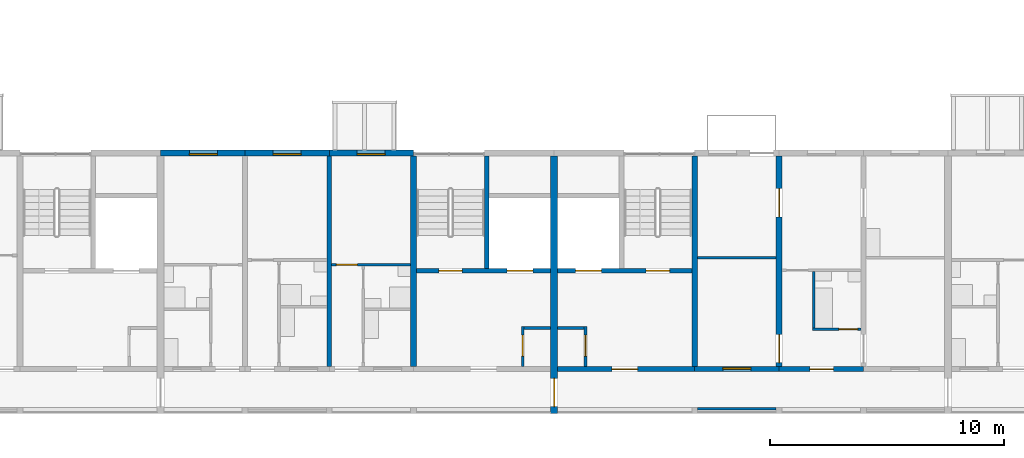
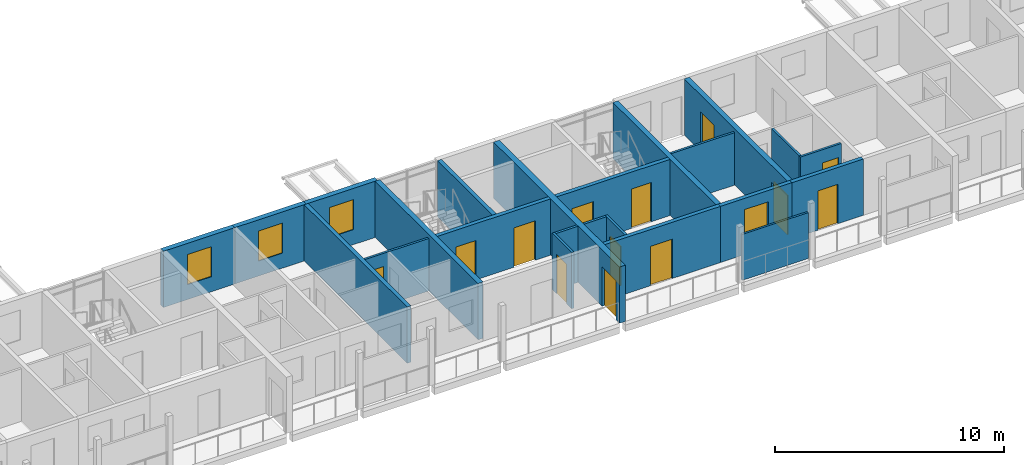
# One storey, part 31 of 93: 23 walls, 13 doors, 4 windows, 17 openings.
"""IFC4 building model written with IfcOpenShell, lengths in metres."""

from ifc_helpers import new_model, si_unit, direction, frame, frame_2d, origin, place, context, subcontext, project, spatial, rectangle, extrude, material, layer, layer_set, type_object, element, fill, save


model = new_model("IFC4")

# Units and contexts
model_context = context("Model", 3, precision=1e-05, world=origin(), true_north=direction((0.0, 1.0)))
body_context = subcontext(model_context, "Body", "Model", "MODEL_VIEW")
ifc_project = project(units=[si_unit("LENGTHUNIT", "METRE"), si_unit("AREAUNIT", "SQUARE_METRE"), si_unit("VOLUMEUNIT", "CUBIC_METRE"), si_unit("PLANEANGLEUNIT", "RADIAN"), si_unit("MASSUNIT", "GRAM", prefix="KILO")], contexts=[model_context])

# Site, building, storey
site_placement = place(None, origin())
site = spatial("IfcSite", under=ifc_project, at=site_placement, CompositionType="ELEMENT")
building_placement = place(site_placement, origin())
building = spatial("IfcBuilding", under=site, at=building_placement, Name="Ridgestep Commons", CompositionType="ELEMENT")
storey_placement = place(building_placement, frame((0.0, 0.0, 18.0)))
storey = spatial("IfcBuildingStorey", under=building, at=storey_placement, Name="L06", CompositionType="ELEMENT", Elevation=18.0)

# Walls
ifc_material_1 = material(Name="Concrete C30/37", Category="concrete")
ifc_layer_1 = layer(ifc_material_1, 0.25)
ifc_layer_set_1 = layer_set([ifc_layer_1], Name="Core cross wall 250")
wall_type_1 = type_object("IfcWallType", Name="Core cross wall 250", PredefinedType="SHEAR", material=ifc_layer_set_1)
for number, where, z_axis, x_axis, name in (
    (1, (39.60009765625, 13.75, 0.0), (0.0, 0.0, 1.0), (0.0, 1.0, 0.0), "Cross wall A-06-0396"),
    (2, (51.60009765625, 13.75, 0.0), (0.0, 0.0, 1.0), (0.0, 1.0, 0.0), "Cross wall A-06-0516"),
):
    element("IfcWall", number, at=place(storey_placement, frame(where, z_axis=z_axis, x_axis=x_axis)), inside=storey, type_object=wall_type_1, Name=name, PredefinedType="SHEAR", context=body_context, shape_type="SweptSolid", body=[
        extrude(rectangle(XDim=9.0, YDim=0.25, at=frame_2d((4.5, 0.0))), origin(), (0.0, 0.0, 1.0), 3.0),
    ])

# Wall, opening, door
ifc_material_2 = material(Name="Concrete C30/37", Category="concrete")
ifc_layer_2 = layer(ifc_material_2, 0.199951171875)
ifc_layer_set_2 = layer_set([ifc_layer_2], Name="Core south wall 200")
wall_type_2 = type_object("IfcWallType", Name="Core south wall 200", PredefinedType="SHEAR", material=ifc_layer_set_2)
wall_1_placement = place(storey_placement, frame((45.75, 13.64990234375, 0.0), z_axis=(0.0, 0.0, 1.0), x_axis=(1.0, 0.0, 0.0)))
wall_1 = element("IfcWall", 3, at=wall_1_placement, inside=storey, type_object=wall_type_2, Name="Core south wall A3C L06", PredefinedType="SHEAR", context=body_context, shape_type="SweptSolid", body=[
    extrude(rectangle(XDim=5.85009765625, YDim=0.199951171875, at=frame_2d((2.925048828125, 0.0))), origin(), (0.0, 0.0, 1.0), 3.0),
])
opening_1_placement = place(wall_1_placement, frame((2.3125, 0.0, 0.0)))
opening_1 = element("IfcOpeningElement", 4, at=opening_1_placement, cuts=wall_1, Name="Opening A3C/06/1", PredefinedType="OPENING", context=body_context, shape_type="SweptSolid", body=[
    extrude(rectangle(XDim=1.10009765625, YDim=2.10009765625, at=frame_2d((0.550048828125, 1.050048828125))), frame((0.0, 0.10986328125, 0.0), z_axis=(0.0, -1.0, 0.0), x_axis=(1.0, 0.0, 0.0)), (0.0, 0.0, 1.0), 0.219970703125),
])
ifc_material_3 = material(Name="Steel fire door", Category="steel")
door_type_1 = type_object("IfcDoorType", Name="Lobby door 1100 x 2100 FD60", OperationType="NOTDEFINED", PredefinedType="DOOR", material=ifc_material_3)
door_1_placement = place(opening_1_placement, origin())
door_1 = element("IfcDoor", 5, at=door_1_placement, inside=storey, type_object=door_type_1, Name="Lobby door A3C/06/1", OperationType="SINGLE_SWING_LEFT", OverallHeight=2.10009765625, OverallWidth=1.10009765625, PredefinedType="DOOR", context=body_context, shape_type="SweptSolid", body=[
    extrude(rectangle(XDim=1.10009765625, YDim=2.10009765625, at=frame_2d((0.550048828125, 1.050048828125))), frame((0.0, 0.02490234375, 0.0), z_axis=(0.0, -1.0, 0.0), x_axis=(1.0, 0.0, 0.0)), (0.0, 0.0, 1.0), 0.050048828125),
])
fill(opening_1, door_1)

ifc_material_4 = material(Name="Concrete C30/37", Category="concrete")
ifc_layer_3 = layer(ifc_material_4, 0.1201171875)
ifc_layer_set_3 = layer_set([ifc_layer_3], Name="Core wall 120")
wall_type_3 = type_object("IfcWallType", Name="Core wall 120", PredefinedType="SHEAR", material=ifc_layer_set_3)
wall_2_placement = place(storey_placement, frame((44.260009765625, 13.75, 0.0), z_axis=(0.0, 0.0, 1.0), x_axis=(0.0, 1.0, 0.0)))
wall_2 = element("IfcWall", 6, at=wall_2_placement, inside=storey, type_object=wall_type_3, Name="Core riser w wall A2C L06", PredefinedType="SHEAR", context=body_context, shape_type="SweptSolid", body=[
    extrude(rectangle(XDim=1.719970703125, YDim=0.1201171875, at=frame_2d((0.85986328125, 0.0))), origin(), (0.0, 0.0, 1.0), 3.0),
])
opening_2_placement = place(wall_2_placement, frame((0.449951171875, 0.0, 0.0)))
opening_2 = element("IfcOpeningElement", 7, at=opening_2_placement, cuts=wall_2, Name="Opening A2C/06/4", PredefinedType="OPENING", context=body_context, shape_type="SweptSolid", body=[
    extrude(rectangle(XDim=0.89990234375, YDim=2.10009765625, at=frame_2d((0.449951171875, 1.050048828125))), frame((0.0, 0.070068359375, 0.0), z_axis=(0.0, -1.0, 0.0), x_axis=(1.0, 0.0, 0.0)), (0.0, 0.0, 1.0), 0.14013671875),
])
ifc_material_5 = material(Name="Steel fire door", Category="steel")
door_type_2 = type_object("IfcDoorType", Name="Riser door 900 x 2100 FD60", OperationType="NOTDEFINED", PredefinedType="DOOR", material=ifc_material_5)
door_2_placement = place(opening_2_placement, origin())
door_2 = element("IfcDoor", 8, at=door_2_placement, inside=storey, type_object=door_type_2, Name="Riser door A2C/06/4", OperationType="SINGLE_SWING_LEFT", OverallHeight=2.10009765625, OverallWidth=0.89990234375, PredefinedType="DOOR", context=body_context, shape_type="SweptSolid", body=[
    extrude(rectangle(XDim=0.89990234375, YDim=2.10009765625, at=frame_2d((0.449951171875, 1.050048828125))), frame((0.0, 0.02490234375, 0.0), z_axis=(0.0, -1.0, 0.0), x_axis=(1.0, 0.0, 0.0)), (0.0, 0.0, 1.0), 0.050048828125),
])
fill(opening_2, door_2)

# Wall
wall_3_placement = place(storey_placement, frame((44.320068359375, 15.409912109375, 0.0), z_axis=(0.0, 0.0, 1.0), x_axis=(1.0, 0.0, 0.0)))
element("IfcWall", 9, at=wall_3_placement, inside=storey, type_object=wall_type_3, Name="Core riser n wall A2C L06", PredefinedType="SHEAR", context=body_context, shape_type="SweptSolid", body=[
    extrude(rectangle(XDim=1.1298828125, YDim=0.1201171875, at=frame_2d((0.56494140625, 0.0))), origin(), (0.0, 0.0, 1.0), 3.0),
])

# Wall, opening, door
wall_4_placement = place(storey_placement, frame((46.93994140625, 13.75, 0.0), z_axis=(0.0, 0.0, 1.0), x_axis=(0.0, 1.0, 0.0)))
wall_4 = element("IfcWall", 10, at=wall_4_placement, inside=storey, type_object=wall_type_3, Name="Core riser w wall A3C L06", PredefinedType="SHEAR", context=body_context, shape_type="SweptSolid", body=[
    extrude(rectangle(XDim=1.719970703125, YDim=0.1201171875, at=frame_2d((0.85986328125, 0.0))), origin(), (0.0, 0.0, 1.0), 3.0),
])
opening_3_placement = place(wall_4_placement, frame((0.449951171875, 0.0, 0.0)))
opening_3 = element("IfcOpeningElement", 11, at=opening_3_placement, cuts=wall_4, Name="Opening A3C/06/4", PredefinedType="OPENING", context=body_context, shape_type="SweptSolid", body=[
    extrude(rectangle(XDim=0.89990234375, YDim=2.10009765625, at=frame_2d((0.449951171875, 1.050048828125))), frame((0.0, 0.070068359375, 0.0), z_axis=(0.0, -1.0, 0.0), x_axis=(1.0, 0.0, 0.0)), (0.0, 0.0, 1.0), 0.14013671875),
])
door_3_placement = place(opening_3_placement, origin())
door_3 = element("IfcDoor", 12, at=door_3_placement, inside=storey, type_object=door_type_2, Name="Riser door A3C/06/4", OperationType="SINGLE_SWING_RIGHT", OverallHeight=2.10009765625, OverallWidth=0.89990234375, PredefinedType="DOOR", context=body_context, shape_type="SweptSolid", body=[
    extrude(rectangle(XDim=0.89990234375, YDim=2.10009765625, at=frame_2d((0.449951171875, 1.050048828125))), frame((0.0, 0.02490234375, 0.0), z_axis=(0.0, -1.0, 0.0), x_axis=(1.0, 0.0, 0.0)), (0.0, 0.0, 1.0), 0.050048828125),
])
fill(opening_3, door_3)

# Wall
wall_5_placement = place(storey_placement, frame((45.75, 15.409912109375, 0.0), z_axis=(0.0, 0.0, 1.0), x_axis=(1.0, 0.0, 0.0)))
element("IfcWall", 13, at=wall_5_placement, inside=storey, type_object=wall_type_3, Name="Core riser n wall A3C L06", PredefinedType="SHEAR", context=body_context, shape_type="SweptSolid", body=[
    extrude(rectangle(XDim=1.1298828125, YDim=0.1201171875, at=frame_2d((0.56494140625, 0.0))), origin(), (0.0, 0.0, 1.0), 3.0),
])

# Wall, openings, doors
ifc_material_6 = material(Name="Concrete C30/37", Category="concrete")
ifc_layer_4 = layer(ifc_material_6, 0.199951171875)
ifc_layer_set_4 = layer_set([ifc_layer_4], Name="Core wall 200")
wall_type_4 = type_object("IfcWallType", Name="Core wall 200", PredefinedType="SHEAR", material=ifc_layer_set_4)
wall_6_placement = place(storey_placement, frame((39.72509765625, 17.85009765625, 0.0), z_axis=(0.0, 0.0, 1.0), x_axis=(1.0, 0.0, 0.0)))
wall_6 = element("IfcWall", 14, at=wall_6_placement, inside=storey, type_object=wall_type_4, Name="Core lobby wall A2C L06", PredefinedType="SHEAR", context=body_context, shape_type="SweptSolid", body=[
    extrude(rectangle(XDim=5.724853515625, YDim=0.199951171875, at=frame_2d((2.8623046875, 0.0))), origin(), (0.0, 0.0, 1.0), 3.0),
])
opening_4_placement = place(wall_6_placement, frame((0.949951171875, 0.0, 0.0)))
opening_4 = element("IfcOpeningElement", 15, at=opening_4_placement, cuts=wall_6, Name="Opening A2C/06/2", PredefinedType="OPENING", context=body_context, shape_type="SweptSolid", body=[
    extrude(rectangle(XDim=1.0, YDim=2.10009765625, at=frame_2d((0.5, 1.050048828125))), frame((0.0, 0.10986328125, 0.0), z_axis=(0.0, -1.0, 0.0), x_axis=(1.0, 0.0, 0.0)), (0.0, 0.0, 1.0), 0.219970703125),
])
opening_5_placement = place(wall_6_placement, frame((3.862548828125, 0.0, 0.0)))
opening_5 = element("IfcOpeningElement", 16, at=opening_5_placement, cuts=wall_6, Name="Opening A2C/06/3", PredefinedType="OPENING", context=body_context, shape_type="SweptSolid", body=[
    extrude(rectangle(XDim=1.10009765625, YDim=2.10009765625, at=frame_2d((0.550048828125, 1.050048828125))), frame((0.0, 0.10986328125, 0.0), z_axis=(0.0, -1.0, 0.0), x_axis=(1.0, 0.0, 0.0)), (0.0, 0.0, 1.0), 0.219970703125),
])
ifc_material_7 = material(Name="Stainless steel", Category="steel")
door_type_3 = type_object("IfcDoorType", Name="Lift landing door 1100 x 2100 FD60", OperationType="DOUBLE_DOOR_SLIDING", PredefinedType="DOOR", material=ifc_material_7)
door_4_placement = place(opening_5_placement, origin())
door_4 = element("IfcDoor", 17, at=door_4_placement, inside=storey, type_object=door_type_3, Name="Landing door LD A2C L06", OperationType="DOUBLE_DOOR_SLIDING", OverallHeight=2.10009765625, OverallWidth=1.10009765625, PredefinedType="DOOR", context=body_context, shape_type="SweptSolid", body=[
    extrude(rectangle(XDim=1.10009765625, YDim=2.10009765625, at=frame_2d((0.550048828125, 1.050048828125))), frame((0.0, 0.02490234375, 0.0), z_axis=(0.0, -1.0, 0.0), x_axis=(1.0, 0.0, 0.0)), (0.0, 0.0, 1.0), 0.050048828125),
])
fill(opening_5, door_4)
ifc_material_8 = material(Name="Steel fire door", Category="steel")
door_type_4 = type_object("IfcDoorType", Name="Stair door 1000 x 2100 FD60", OperationType="NOTDEFINED", PredefinedType="DOOR", material=ifc_material_8)
door_5_placement = place(opening_4_placement, origin())
door_5 = element("IfcDoor", 18, at=door_5_placement, inside=storey, type_object=door_type_4, Name="Stair door A2C/06/2", OperationType="SINGLE_SWING_RIGHT", OverallHeight=2.10009765625, OverallWidth=1.0, PredefinedType="DOOR", context=body_context, shape_type="SweptSolid", body=[
    extrude(rectangle(XDim=1.0, YDim=2.10009765625, at=frame_2d((0.5, 1.050048828125))), frame((0.0, 0.02490234375, 0.0), z_axis=(0.0, -1.0, 0.0), x_axis=(1.0, 0.0, 0.0)), (0.0, 0.0, 1.0), 0.050048828125),
])
fill(opening_4, door_5)

# Wall
wall_7_placement = place(storey_placement, frame((42.72509765625, 17.949951171875, 0.0), z_axis=(0.0, 0.0, 1.0), x_axis=(0.0, 1.0, 0.0)))
element("IfcWall", 19, at=wall_7_placement, inside=storey, type_object=wall_type_4, Name="Core stair wall A2C L06", PredefinedType="SHEAR", context=body_context, shape_type="SweptSolid", body=[
    extrude(rectangle(XDim=4.800048828125, YDim=0.199951171875, at=frame_2d((2.39990234375, 0.0))), origin(), (0.0, 0.0, 1.0), 3.0),
])

# Wall, openings, doors
wall_8_placement = place(storey_placement, frame((45.75, 17.85009765625, 0.0), z_axis=(0.0, 0.0, 1.0), x_axis=(1.0, 0.0, 0.0)))
wall_8 = element("IfcWall", 20, at=wall_8_placement, inside=storey, type_object=wall_type_4, Name="Core lobby wall A3C L06", PredefinedType="SHEAR", context=body_context, shape_type="SweptSolid", body=[
    extrude(rectangle(XDim=5.72509765625, YDim=0.199951171875, at=frame_2d((2.862548828125, 0.0))), origin(), (0.0, 0.0, 1.0), 3.0),
])
opening_6_placement = place(wall_8_placement, frame((3.77490234375, 0.0, 0.0)))
opening_6 = element("IfcOpeningElement", 21, at=opening_6_placement, cuts=wall_8, Name="Opening A3C/06/2", PredefinedType="OPENING", context=body_context, shape_type="SweptSolid", body=[
    extrude(rectangle(XDim=1.0, YDim=2.10009765625, at=frame_2d((0.5, 1.050048828125))), frame((0.0, 0.10986328125, 0.0), z_axis=(0.0, -1.0, 0.0), x_axis=(1.0, 0.0, 0.0)), (0.0, 0.0, 1.0), 0.219970703125),
])
opening_7_placement = place(wall_8_placement, frame((0.762451171875, 0.0, 0.0)))
opening_7 = element("IfcOpeningElement", 22, at=opening_7_placement, cuts=wall_8, Name="Opening A3C/06/3", PredefinedType="OPENING", context=body_context, shape_type="SweptSolid", body=[
    extrude(rectangle(XDim=1.10009765625, YDim=2.10009765625, at=frame_2d((0.550048828125, 1.050048828125))), frame((0.0, 0.10986328125, 0.0), z_axis=(0.0, -1.0, 0.0), x_axis=(1.0, 0.0, 0.0)), (0.0, 0.0, 1.0), 0.219970703125),
])
door_6_placement = place(opening_7_placement, origin())
door_6 = element("IfcDoor", 23, at=door_6_placement, inside=storey, type_object=door_type_3, Name="Landing door LD A3C L06", OperationType="DOUBLE_DOOR_SLIDING", OverallHeight=2.10009765625, OverallWidth=1.10009765625, PredefinedType="DOOR", context=body_context, shape_type="SweptSolid", body=[
    extrude(rectangle(XDim=1.10009765625, YDim=2.10009765625, at=frame_2d((0.550048828125, 1.050048828125))), frame((0.0, 0.02490234375, 0.0), z_axis=(0.0, -1.0, 0.0), x_axis=(1.0, 0.0, 0.0)), (0.0, 0.0, 1.0), 0.050048828125),
])
fill(opening_7, door_6)
door_7_placement = place(opening_6_placement, origin())
door_7 = element("IfcDoor", 24, at=door_7_placement, inside=storey, type_object=door_type_4, Name="Stair door A3C/06/2", OperationType="SINGLE_SWING_RIGHT", OverallHeight=2.10009765625, OverallWidth=1.0, PredefinedType="DOOR", context=body_context, shape_type="SweptSolid", body=[
    extrude(rectangle(XDim=1.0, YDim=2.10009765625, at=frame_2d((0.5, 1.050048828125))), frame((0.0, 0.02490234375, 0.0), z_axis=(0.0, -1.0, 0.0), x_axis=(1.0, 0.0, 0.0)), (0.0, 0.0, 1.0), 0.050048828125),
])
fill(opening_6, door_7)

# Wall
ifc_material_9 = material(Name="Precast concrete C40/50", Category="concrete")
ifc_layer_5 = layer(ifc_material_9, 0.199951171875)
ifc_layer_set_5 = layer_set([ifc_layer_5], Name="Cross wall 200")
wall_type_5 = type_object("IfcWallType", Name="Cross wall 200", PredefinedType="SHEAR", material=ifc_layer_set_5)
wall_9_placement = place(storey_placement, frame((36.0, 13.75, 0.0), z_axis=(0.0, 0.0, 1.0), x_axis=(0.0, 1.0, 0.0)))
element("IfcWall", 25, at=wall_9_placement, inside=storey, type_object=wall_type_5, Name="Cross wall A-06-0360", PredefinedType="SHEAR", context=body_context, shape_type="SweptSolid", body=[
    extrude(rectangle(XDim=9.0, YDim=0.199951171875, at=frame_2d((4.5, 0.0))), origin(), (0.0, 0.0, 1.0), 3.0),
])

# Wall, openings, doors
ifc_material_10 = material(Name="Precast concrete C40/50", Category="concrete")
ifc_layer_6 = layer(ifc_material_10, 0.25)
ifc_layer_set_6 = layer_set([ifc_layer_6], Name="Cross wall 250")
wall_type_6 = type_object("IfcWallType", Name="Cross wall 250", PredefinedType="SHEAR", material=ifc_layer_set_6)
wall_10_placement = place(storey_placement, frame((55.199951171875, 13.75, 0.0), z_axis=(0.0, 0.0, 1.0), x_axis=(0.0, 1.0, 0.0)))
wall_10 = element("IfcWall", 26, at=wall_10_placement, inside=storey, type_object=wall_type_6, Name="Cross wall A-06-0552", PredefinedType="SHEAR", context=body_context, shape_type="SweptSolid", body=[
    extrude(rectangle(XDim=9.0, YDim=0.25, at=frame_2d((4.5, 0.0))), origin(), (0.0, 0.0, 1.0), 3.0),
])
opening_8_placement = place(wall_10_placement, frame((0.175048828125, 0.0, 0.0)))
opening_8 = element("IfcOpeningElement", 27, at=opening_8_placement, cuts=wall_10, Name="Opening A3-06a/4", PredefinedType="OPENING", context=body_context, shape_type="SweptSolid", body=[
    extrude(rectangle(XDim=1.199951171875, YDim=2.10009765625, at=frame_2d((0.60009765625, 1.050048828125))), frame((0.0, 0.135009765625, 0.0), z_axis=(0.0, -1.0, 0.0), x_axis=(1.0, 0.0, 0.0)), (0.0, 0.0, 1.0), 0.27001953125),
])
opening_9_placement = place(wall_10_placement, frame((6.39990234375, 0.0, 0.0)))
opening_9 = element("IfcOpeningElement", 28, at=opening_9_placement, cuts=wall_10, Name="Opening A3-06a/5", PredefinedType="OPENING", context=body_context, shape_type="SweptSolid", body=[
    extrude(rectangle(XDim=1.199951171875, YDim=2.10009765625, at=frame_2d((0.60009765625, 1.050048828125))), frame((0.0, 0.135009765625, 0.0), z_axis=(0.0, -1.0, 0.0), x_axis=(1.0, 0.0, 0.0)), (0.0, 0.0, 1.0), 0.27001953125),
])
ifc_material_11 = material(Name="Timber door leaf", Category="wood")
door_type_5 = type_object("IfcDoorType", Name="Double door 1200 x 2100", OperationType="DOUBLE_DOOR_SINGLE_SWING", PredefinedType="DOOR", material=ifc_material_11)
door_8_placement = place(opening_8_placement, origin())
door_8 = element("IfcDoor", 29, at=door_8_placement, inside=storey, type_object=door_type_5, Name="Double door A3-06a/4", OperationType="DOUBLE_DOOR_SINGLE_SWING", OverallHeight=2.10009765625, OverallWidth=1.199951171875, PredefinedType="DOOR", context=body_context, shape_type="SweptSolid", body=[
    extrude(rectangle(XDim=1.199951171875, YDim=2.10009765625, at=frame_2d((0.60009765625, 1.050048828125))), frame((0.0, 0.02490234375, 0.0), z_axis=(0.0, -1.0, 0.0), x_axis=(1.0, 0.0, 0.0)), (0.0, 0.0, 1.0), 0.050048828125),
])
fill(opening_8, door_8)
door_9_placement = place(opening_9_placement, origin())
door_9 = element("IfcDoor", 30, at=door_9_placement, inside=storey, type_object=door_type_5, Name="Double door A3-06a/5", OperationType="DOUBLE_DOOR_SINGLE_SWING", OverallHeight=2.10009765625, OverallWidth=1.199951171875, PredefinedType="DOOR", context=body_context, shape_type="SweptSolid", body=[
    extrude(rectangle(XDim=1.199951171875, YDim=2.10009765625, at=frame_2d((0.60009765625, 1.050048828125))), frame((0.0, 0.02490234375, 0.0), z_axis=(0.0, -1.0, 0.0), x_axis=(1.0, 0.0, 0.0)), (0.0, 0.0, 1.0), 0.050048828125),
])
fill(opening_9, door_9)

# Wall, opening, door
ifc_material_12 = material(Name="Precast concrete C40/50", Category="concrete")
ifc_layer_7 = layer(ifc_material_12, 0.300048828125)
ifc_layer_set_7 = layer_set([ifc_layer_7], Name="Division wall 300")
wall_type_7 = type_object("IfcWallType", Name="Division wall 300", PredefinedType="SHEAR", material=ifc_layer_set_7)
wall_11_placement = place(storey_placement, frame((45.60009765625, 11.75, 0.0), z_axis=(0.0, 0.0, 1.0), x_axis=(0.0, 1.0, 0.0)))
wall_11 = element("IfcWall", 31, at=wall_11_placement, inside=storey, type_object=wall_type_7, Name="Cross wall A-06-0456", PredefinedType="SHEAR", context=body_context, shape_type="SweptSolid", body=[
    extrude(rectangle(XDim=11.0, YDim=0.300048828125, at=frame_2d((5.5, 0.0))), origin(), (0.0, 0.0, 1.0), 3.0),
])
opening_10_placement = place(wall_11_placement, frame((0.300048828125, 0.0, 0.0)))
opening_10 = element("IfcOpeningElement", 32, at=opening_10_placement, cuts=wall_11, Name="Opening A/06/G0456", PredefinedType="OPENING", context=body_context, shape_type="SweptSolid", body=[
    extrude(rectangle(XDim=1.199951171875, YDim=2.10009765625, at=frame_2d((0.60009765625, 1.050048828125))), frame((0.0, 0.159912109375, 0.0), z_axis=(0.0, -1.0, 0.0), x_axis=(1.0, 0.0, 0.0)), (0.0, 0.0, 1.0), 0.320068359375),
])
ifc_material_13 = material(Name="Steel fire door", Category="steel")
door_type_6 = type_object("IfcDoorType", Name="Division fire door 1200 x 2100 EI 240", OperationType="DOUBLE_DOOR_SINGLE_SWING", PredefinedType="DOOR", material=ifc_material_13)
door_10_placement = place(opening_10_placement, origin())
door_10 = element("IfcDoor", 33, at=door_10_placement, inside=storey, type_object=door_type_6, Name="Division fire door A/06/G0456", OperationType="DOUBLE_DOOR_SINGLE_SWING", OverallHeight=2.10009765625, OverallWidth=1.199951171875, PredefinedType="DOOR", context=body_context, shape_type="SweptSolid", body=[
    extrude(rectangle(XDim=1.199951171875, YDim=2.10009765625, at=frame_2d((0.60009765625, 1.050048828125))), frame((0.0, 0.02490234375, 0.0), z_axis=(0.0, -1.0, 0.0), x_axis=(1.0, 0.0, 0.0)), (0.0, 0.0, 1.0), 0.050048828125),
])
fill(opening_10, door_10)

# Wall, opening, window
ifc_material_14 = material(Name="Precast concrete C40/50", Category="concrete")
ifc_layer_8 = layer(ifc_material_14, 0.25)
ifc_layer_set_8 = layer_set([ifc_layer_8], Name="North facade panel 250")
wall_type_8 = type_object("IfcWallType", Name="North facade panel 250", PredefinedType="SOLIDWALL", material=ifc_layer_set_8)
wall_12_placement = place(storey_placement, frame((28.800048828125, 22.875, 0.0), z_axis=(0.0, 0.0, 1.0), x_axis=(1.0, 0.0, 0.0)))
wall_12 = element("IfcWall", 34, at=wall_12_placement, inside=storey, type_object=wall_type_8, Name="North panel A2T1 L06", PredefinedType="SOLIDWALL", context=body_context, shape_type="SweptSolid", body=[
    extrude(rectangle(XDim=3.599853515625, YDim=0.25, at=frame_2d((1.7998046875, 0.0))), origin(), (0.0, 0.0, 1.0), 3.0),
])
opening_11_placement = place(wall_12_placement, frame((1.22509765625, 0.0, 0.800048828125)))
opening_11 = element("IfcOpeningElement", 35, at=opening_11_placement, cuts=wall_12, Name="Opening W11", PredefinedType="OPENING", context=body_context, shape_type="SweptSolid", body=[
    extrude(rectangle(XDim=1.199951171875, YDim=1.60009765625, at=frame_2d((0.60009765625, 0.800048828125))), frame((0.0, 0.135009765625, 0.0), z_axis=(0.0, -1.0, 0.0), x_axis=(1.0, 0.0, 0.0)), (0.0, 0.0, 1.0), 0.27001953125),
])
ifc_material_15 = material(Name="Aluminium 6063-T6 and glass", Category="aluminium")
window_type = type_object("IfcWindowType", Name="Flat window 1200 x 1600", PartitioningType="SINGLE_PANEL", PredefinedType="WINDOW", material=ifc_material_15)
window_1_placement = place(opening_11_placement, origin())
window_1 = element("IfcWindow", 36, at=window_1_placement, inside=storey, type_object=window_type, Name="Window A2-06a 2", OverallHeight=1.60009765625, OverallWidth=1.199951171875, PartitioningType="SINGLE_PANEL", PredefinedType="WINDOW", context=body_context, shape_type="SweptSolid", body=[
    extrude(rectangle(XDim=1.199951171875, YDim=1.60009765625, at=frame_2d((0.60009765625, 0.800048828125))), frame((0.0, -0.02490234375, 0.0), z_axis=(0.0, -1.0, 0.0), x_axis=(1.0, 0.0, 0.0)), (0.0, 0.0, 1.0), 0.06005859375),
])
fill(opening_11, window_1)

wall_13_placement = place(storey_placement, frame((32.39990234375, 22.875, 0.0), z_axis=(0.0, 0.0, 1.0), x_axis=(1.0, 0.0, 0.0)))
wall_13 = element("IfcWall", 37, at=wall_13_placement, inside=storey, type_object=wall_type_8, Name="North panel A2T2 L06", PredefinedType="SOLIDWALL", context=body_context, shape_type="SweptSolid", body=[
    extrude(rectangle(XDim=3.60009765625, YDim=0.25, at=frame_2d((1.800048828125, 0.0))), origin(), (0.0, 0.0, 1.0), 3.0),
])
opening_12_placement = place(wall_13_placement, frame((1.199951171875, 0.0, 0.800048828125)))
opening_12 = element("IfcOpeningElement", 38, at=opening_12_placement, cuts=wall_13, Name="Opening W11", PredefinedType="OPENING", context=body_context, shape_type="SweptSolid", body=[
    extrude(rectangle(XDim=1.199951171875, YDim=1.60009765625, at=frame_2d((0.60009765625, 0.800048828125))), frame((0.0, 0.135009765625, 0.0), z_axis=(0.0, -1.0, 0.0), x_axis=(1.0, 0.0, 0.0)), (0.0, 0.0, 1.0), 0.27001953125),
])
window_2_placement = place(opening_12_placement, origin())
window_2 = element("IfcWindow", 39, at=window_2_placement, inside=storey, type_object=window_type, Name="Window A2-06b 2", OverallHeight=1.60009765625, OverallWidth=1.199951171875, PartitioningType="SINGLE_PANEL", PredefinedType="WINDOW", context=body_context, shape_type="SweptSolid", body=[
    extrude(rectangle(XDim=1.199951171875, YDim=1.60009765625, at=frame_2d((0.60009765625, 0.800048828125))), frame((0.0, -0.02490234375, 0.0), z_axis=(0.0, -1.0, 0.0), x_axis=(1.0, 0.0, 0.0)), (0.0, 0.0, 1.0), 0.06005859375),
])
fill(opening_12, window_2)

wall_14_placement = place(storey_placement, frame((36.0, 22.875, 0.0), z_axis=(0.0, 0.0, 1.0), x_axis=(1.0, 0.0, 0.0)))
wall_14 = element("IfcWall", 40, at=wall_14_placement, inside=storey, type_object=wall_type_8, Name="North panel A2T3 L06", PredefinedType="SOLIDWALL", context=body_context, shape_type="SweptSolid", body=[
    extrude(rectangle(XDim=3.60009765625, YDim=0.25, at=frame_2d((1.800048828125, 0.0))), origin(), (0.0, 0.0, 1.0), 3.0),
])
opening_13_placement = place(wall_14_placement, frame((1.1875, 0.0, 0.800048828125)))
opening_13 = element("IfcOpeningElement", 41, at=opening_13_placement, cuts=wall_14, Name="Opening W11", PredefinedType="OPENING", context=body_context, shape_type="SweptSolid", body=[
    extrude(rectangle(XDim=1.199951171875, YDim=1.60009765625, at=frame_2d((0.60009765625, 0.800048828125))), frame((0.0, 0.135009765625, 0.0), z_axis=(0.0, -1.0, 0.0), x_axis=(1.0, 0.0, 0.0)), (0.0, 0.0, 1.0), 0.27001953125),
])
window_3_placement = place(opening_13_placement, origin())
window_3 = element("IfcWindow", 42, at=window_3_placement, inside=storey, type_object=window_type, Name="Window A2-06c 2", OverallHeight=1.60009765625, OverallWidth=1.199951171875, PartitioningType="SINGLE_PANEL", PredefinedType="WINDOW", context=body_context, shape_type="SweptSolid", body=[
    extrude(rectangle(XDim=1.199951171875, YDim=1.60009765625, at=frame_2d((0.60009765625, 0.800048828125))), frame((0.0, -0.02490234375, 0.0), z_axis=(0.0, -1.0, 0.0), x_axis=(1.0, 0.0, 0.0)), (0.0, 0.0, 1.0), 0.06005859375),
])
fill(opening_13, window_3)

# Wall, opening, door
ifc_material_16 = material(Name="Common brick 110 mm", Category="masonry")
ifc_layer_9 = layer(ifc_material_16, 0.110107421875)
ifc_layer_set_9 = layer_set([ifc_layer_9], Name="Partition 110")
wall_type_9 = type_object("IfcWallType", Name="Partition 110", PredefinedType="PARTITIONING", material=ifc_layer_set_9)
wall_15_placement = place(storey_placement, frame((36.10009765625, 18.10498046875, 0.0), z_axis=(0.0, 0.0, 1.0), x_axis=(1.0, 0.0, 0.0)))
wall_15 = element("IfcWall", 43, at=wall_15_placement, inside=storey, type_object=wall_type_9, Name="Partition A2-06c", PredefinedType="PARTITIONING", context=body_context, shape_type="SweptSolid", body=[
    extrude(rectangle(XDim=3.375, YDim=0.110107421875, at=frame_2d((1.6875, 0.0))), origin(), (0.0, 0.0, 1.0), 2.800048828125),
])
opening_14_placement = place(wall_15_placement, frame((0.199951171875, 0.0, 0.0)))
opening_14 = element("IfcOpeningElement", 44, at=opening_14_placement, cuts=wall_15, Name="Opening A2-06c/4", PredefinedType="OPENING", context=body_context, shape_type="SweptSolid", body=[
    extrude(rectangle(XDim=0.89990234375, YDim=2.10009765625, at=frame_2d((0.449951171875, 1.050048828125))), frame((0.0, 0.06494140625, 0.0), z_axis=(0.0, -1.0, 0.0), x_axis=(1.0, 0.0, 0.0)), (0.0, 0.0, 1.0), 0.130126953125),
])
ifc_material_17 = material(Name="Timber door leaf", Category="wood")
door_type_7 = type_object("IfcDoorType", Name="Internal door 900 x 2100", OperationType="NOTDEFINED", PredefinedType="DOOR", material=ifc_material_17)
door_11_placement = place(opening_14_placement, origin())
door_11 = element("IfcDoor", 45, at=door_11_placement, inside=storey, type_object=door_type_7, Name="Internal door A2-06c/4", OperationType="SINGLE_SWING_LEFT", OverallHeight=2.10009765625, OverallWidth=0.89990234375, PredefinedType="DOOR", context=body_context, shape_type="SweptSolid", body=[
    extrude(rectangle(XDim=0.89990234375, YDim=2.10009765625, at=frame_2d((0.449951171875, 1.050048828125))), frame((0.0, 0.02490234375, 0.0), z_axis=(0.0, -1.0, 0.0), x_axis=(1.0, 0.0, 0.0)), (0.0, 0.0, 1.0), 0.050048828125),
])
fill(opening_14, door_11)

wall_16_placement = place(storey_placement, frame((56.625, 15.35498046875, 0.0), z_axis=(0.0, 0.0, 1.0), x_axis=(1.0, 0.0, 0.0)))
wall_16 = element("IfcWall", 46, at=wall_16_placement, inside=storey, type_object=wall_type_9, Name="Partition A3-06a", PredefinedType="PARTITIONING", context=body_context, shape_type="SweptSolid", body=[
    extrude(rectangle(XDim=2.074951171875, YDim=0.110107421875, at=frame_2d((1.03759765625, 0.0))), origin(), (0.0, 0.0, 1.0), 2.800048828125),
])
opening_15_placement = place(wall_16_placement, frame((1.125, 0.0, 0.0)))
opening_15 = element("IfcOpeningElement", 47, at=opening_15_placement, cuts=wall_16, Name="Opening A3-06a/2", PredefinedType="OPENING", context=body_context, shape_type="SweptSolid", body=[
    extrude(rectangle(XDim=0.800048828125, YDim=2.10009765625, at=frame_2d((0.39990234375, 1.050048828125))), frame((0.0, 0.06494140625, 0.0), z_axis=(0.0, -1.0, 0.0), x_axis=(1.0, 0.0, 0.0)), (0.0, 0.0, 1.0), 0.130126953125),
])
ifc_material_18 = material(Name="Timber door leaf", Category="wood")
door_type_8 = type_object("IfcDoorType", Name="Internal door 800 x 2100", OperationType="NOTDEFINED", PredefinedType="DOOR", material=ifc_material_18)
door_12_placement = place(opening_15_placement, origin())
door_12 = element("IfcDoor", 48, at=door_12_placement, inside=storey, type_object=door_type_8, Name="Internal door A3-06a/2", OperationType="SINGLE_SWING_RIGHT", OverallHeight=2.10009765625, OverallWidth=0.800048828125, PredefinedType="DOOR", context=body_context, shape_type="SweptSolid", body=[
    extrude(rectangle(XDim=0.800048828125, YDim=2.10009765625, at=frame_2d((0.39990234375, 1.050048828125))), frame((0.0, 0.02490234375, 0.0), z_axis=(0.0, -1.0, 0.0), x_axis=(1.0, 0.0, 0.0)), (0.0, 0.0, 1.0), 0.050048828125),
])
fill(opening_15, door_12)

# Walls
wall_17_placement = place(storey_placement, frame((56.679931640625, 15.409912109375, 0.0), z_axis=(0.0, 0.0, 1.0), x_axis=(0.0, 1.0, 0.0)))
element("IfcWall", 49, at=wall_17_placement, inside=storey, type_object=wall_type_9, Name="Partition A3-06a", PredefinedType="PARTITIONING", context=body_context, shape_type="SweptSolid", body=[
    extrude(rectangle(XDim=2.400146484375, YDim=0.110107421875, at=frame_2d((1.2001953125, 0.0))), origin(), (0.0, 0.0, 1.0), 2.800048828125),
])
wall_18_placement = place(storey_placement, frame((51.72509765625, 18.405029296875, 0.0), z_axis=(0.0, 0.0, 1.0), x_axis=(1.0, 0.0, 0.0)))
element("IfcWall", 50, at=wall_18_placement, inside=storey, type_object=wall_type_9, Name="Partition A3-06a", PredefinedType="PARTITIONING", context=body_context, shape_type="SweptSolid", body=[
    extrude(rectangle(XDim=3.349853515625, YDim=0.110107421875, at=frame_2d((1.6748046875, 0.0))), origin(), (0.0, 0.0, 1.0), 2.800048828125),
])
ifc_material_19 = material(Name="Precast concrete C30/37", Category="concrete")
ifc_layer_10 = layer(ifc_material_19, 0.10009765625)
ifc_layer_set_10 = layer_set([ifc_layer_10], Name="Perforated gallery screen 3350 x 2450 x 100")
wall_type_10 = type_object("IfcWallType", Name="Perforated gallery screen 3350 x 2450 x 100", PredefinedType="SOLIDWALL", material=ifc_layer_set_10)
wall_19_placement = place(storey_placement, frame((51.72509765625, 11.949951171875, 0.0), z_axis=(0.0, 0.0, 1.0), x_axis=(1.0, 0.0, 0.0)))
element("IfcWall", 51, at=wall_19_placement, inside=storey, type_object=wall_type_10, Name="Gallery screen A3T3 06", PredefinedType="SOLIDWALL", context=body_context, shape_type="SweptSolid", body=[
    extrude(rectangle(XDim=3.349853515625, YDim=0.10009765625, at=frame_2d((1.6748046875, 0.0))), origin(), (0.0, 0.0, 1.0), 2.449951171875),
])

# Wall, opening, window
ifc_material_20 = material(Name="Precast concrete C40/50", Category="concrete")
ifc_layer_11 = layer(ifc_material_20, 0.199951171875)
ifc_layer_set_11 = layer_set([ifc_layer_11], Name="South facade panel 200")
wall_type_11 = type_object("IfcWallType", Name="South facade panel 200", PredefinedType="SOLIDWALL", material=ifc_layer_set_11)
wall_20_placement = place(storey_placement, frame((51.60009765625, 13.64990234375, 0.0), z_axis=(0.0, 0.0, 1.0), x_axis=(1.0, 0.0, 0.0)))
wall_20 = element("IfcWall", 52, at=wall_20_placement, inside=storey, type_object=wall_type_11, Name="South panel A3T3 L06", PredefinedType="SOLIDWALL", context=body_context, shape_type="SweptSolid", body=[
    extrude(rectangle(XDim=3.599853515625, YDim=0.199951171875, at=frame_2d((1.7998046875, 0.0))), origin(), (0.0, 0.0, 1.0), 3.0),
])
opening_16_placement = place(wall_20_placement, frame((1.199951171875, 0.0, 0.800048828125)))
opening_16 = element("IfcOpeningElement", 53, at=opening_16_placement, cuts=wall_20, Name="Opening W11", PredefinedType="OPENING", context=body_context, shape_type="SweptSolid", body=[
    extrude(rectangle(XDim=1.199951171875, YDim=1.60009765625, at=frame_2d((0.60009765625, 0.800048828125))), frame((0.0, 0.10986328125, 0.0), z_axis=(0.0, -1.0, 0.0), x_axis=(1.0, 0.0, 0.0)), (0.0, 0.0, 1.0), 0.219970703125),
])
window_4_placement = place(opening_16_placement, origin())
window_4 = element("IfcWindow", 54, at=window_4_placement, inside=storey, type_object=window_type, Name="Window A3-06a 1", OverallHeight=1.60009765625, OverallWidth=1.199951171875, PartitioningType="SINGLE_PANEL", PredefinedType="WINDOW", context=body_context, shape_type="SweptSolid", body=[
    extrude(rectangle(XDim=1.199951171875, YDim=1.60009765625, at=frame_2d((0.60009765625, 0.800048828125))), frame((0.0, 0.06005859375, 0.0), z_axis=(0.0, -1.0, 0.0), x_axis=(1.0, 0.0, 0.0)), (0.0, 0.0, 1.0), 0.06005859375),
])
fill(opening_16, window_4)

# Wall, opening, door
wall_21_placement = place(storey_placement, frame((55.199951171875, 13.64990234375, 0.0), z_axis=(0.0, 0.0, 1.0), x_axis=(1.0, 0.0, 0.0)))
wall_21 = element("IfcWall", 55, at=wall_21_placement, inside=storey, type_object=wall_type_11, Name="South panel A3T2 L06", PredefinedType="SOLIDWALL", context=body_context, shape_type="SweptSolid", body=[
    extrude(rectangle(XDim=3.60009765625, YDim=0.199951171875, at=frame_2d((1.800048828125, 0.0))), origin(), (0.0, 0.0, 1.0), 3.0),
])
opening_17_placement = place(wall_21_placement, frame((1.3125, 0.0, 0.0)))
opening_17 = element("IfcOpeningElement", 56, at=opening_17_placement, cuts=wall_21, Name="Opening A3-06a/1", PredefinedType="OPENING", context=body_context, shape_type="SweptSolid", body=[
    extrude(rectangle(XDim=1.0, YDim=2.10009765625, at=frame_2d((0.5, 1.050048828125))), frame((0.0, 0.10986328125, 0.0), z_axis=(0.0, -1.0, 0.0), x_axis=(1.0, 0.0, 0.0)), (0.0, 0.0, 1.0), 0.219970703125),
])
ifc_material_21 = material(Name="Timber door leaf", Category="wood")
door_type_9 = type_object("IfcDoorType", Name="Flat entrance door 1000 x 2100 FD30S", OperationType="NOTDEFINED", PredefinedType="DOOR", material=ifc_material_21)
door_13_placement = place(opening_17_placement, origin())
door_13 = element("IfcDoor", 57, at=door_13_placement, inside=storey, type_object=door_type_9, Name="Flat entrance door A3-06a/1", OperationType="SINGLE_SWING_LEFT", OverallHeight=2.10009765625, OverallWidth=1.0, PredefinedType="DOOR", context=body_context, shape_type="SweptSolid", body=[
    extrude(rectangle(XDim=1.0, YDim=2.10009765625, at=frame_2d((0.5, 1.050048828125))), frame((0.0, 0.02490234375, 0.0), z_axis=(0.0, -1.0, 0.0), x_axis=(1.0, 0.0, 0.0)), (0.0, 0.0, 1.0), 0.050048828125),
])
fill(opening_17, door_13)

save(model, "model.ifc")
